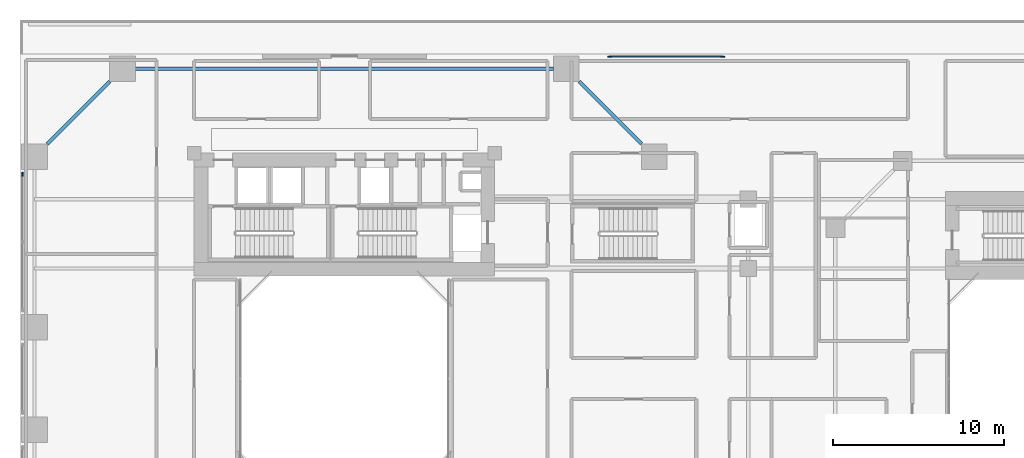
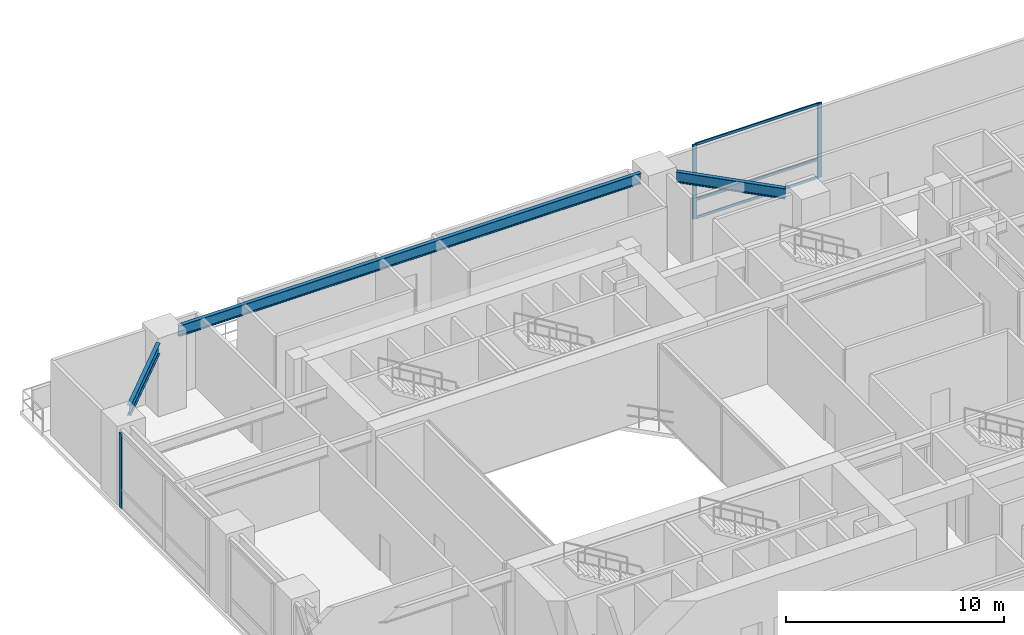
# One storey, part 7 of 19: 6 members, 3 beams, 2 elements without a shape of their own.
"""IFC4 building model written with IfcOpenShell, lengths in metres."""

from ifc_helpers import new_model, si_unit, direction, frame, origin, origin_2d, place, context, subcontext, project, spatial, rectangle, i_section, extrude, source, transform, mapped, material, layer, layer_set, material_profile, profile_set, type_object, element, aggregate, save


model = new_model("IFC4")

# Units and contexts
model_context = context("Model", 3, precision=1e-05, world=origin(), true_north=direction((0.0, 1.0)))
body_context = subcontext(model_context, "Body", "Model", "MODEL_VIEW")
ifc_project = project(units=[si_unit("LENGTHUNIT", "METRE"), si_unit("AREAUNIT", "SQUARE_METRE"), si_unit("VOLUMEUNIT", "CUBIC_METRE"), si_unit("PLANEANGLEUNIT", "RADIAN"), si_unit("MASSUNIT", "GRAM", prefix="KILO"), si_unit("THERMODYNAMICTEMPERATUREUNIT", "KELVIN"), si_unit("POWERUNIT", "WATT")], contexts=[model_context])

# Site, building, storey
site_placement = place(None, origin())
site = spatial("IfcSite", under=ifc_project, at=site_placement, CompositionType="ELEMENT")
building_placement = place(site_placement, origin())
building = spatial("IfcBuilding", under=site, at=building_placement, Name="Qiaomeng Ring Towers", CompositionType="ELEMENT")
storey_placement = place(building_placement, frame((0.0, 0.0, 9.39990234375)))
storey = spatial("IfcBuildingStorey", under=building, at=storey_placement, Name="L02", CompositionType="ELEMENT", Elevation=9.39990234375)

# Beams
ifc_material_1 = material(Name="Steel Q355B", Category="steel")
ifc_material_profile_1 = material_profile(ifc_material_1, i_section(OverallWidth=0.199951171875, OverallDepth=0.60009765625, WebThickness=0.010986328125, FlangeThickness=0.01708984375, FilletRadius=0.02197265625, at=origin_2d()), Name="HN 600x200x11x17")
ifc_profile_set_1 = profile_set([ifc_material_profile_1], Name="Steel Q355B")
beam_type = type_object("IfcBeamType", Name="STR-BM-HN600", PredefinedType="BEAM", material=ifc_profile_set_1)
shared_shape_1 = source(origin(), body_context, "Body", "SweptSolid", [
    extrude(i_section(OverallWidth=0.199951171875, OverallDepth=0.60009765625, WebThickness=0.010986328125, FlangeThickness=0.01708984375, FilletRadius=0.02197265625, at=origin_2d()), origin(), (0.0, 0.0, 1.0), 24.501953125),
])
beam_placement = place(storey_placement, frame((31.2509765625, 41.14990234375, 3.880126953125), z_axis=(-1.0, 0.0, 0.0), x_axis=(0.0, -1.0, 0.0)))
element("IfcBeam", 1, at=beam_placement, inside=storey, type_object=beam_type, Name="L02 beam STR-SP-L02-T1-4", PredefinedType="BEAM", context=body_context, shape_type="MappedRepresentation", body=[
    mapped(shared_shape_1, transform((0.0, 0.0, 0.0), x_axis=(1.0, 0.0, 0.0), y_axis=(0.0, 1.0, 0.0), z_axis=(0.0, 0.0, 1.0), scale=1.0)),
])
shared_shape_2 = source(origin(), body_context, "Body", "SweptSolid", [
    extrude(i_section(OverallWidth=0.199951171875, OverallDepth=0.60009765625, WebThickness=0.010986328125, FlangeThickness=0.01708984375, FilletRadius=0.02197265625, at=origin_2d()), origin(), (0.0, 0.0, 1.0), 5.163818359375),
])
for number, where, z_axis, x_axis, name in (
    (2, (36.400634765625, 36.749267578125, 3.880126953125), (-0.707106781187, 0.707106781187, 0.0), (-0.707106781187, -0.707106781187, 0.0), "L02 beam STR-SP-L02-T1-3"),
    (3, (5.250732421875, 40.400634765625, 3.880126953125), (-0.707106781187, -0.707106781187, 0.0), (0.707106781187, -0.707106781187, 0.0), "L02 beam STR-SP-L02-T1-5"),
):
    element("IfcBeam", number, at=place(storey_placement, frame(where, z_axis=z_axis, x_axis=x_axis)), inside=storey, type_object=beam_type, Name=name, PredefinedType="BEAM", context=body_context, shape_type="MappedRepresentation", body=[
        mapped(shared_shape_2, transform((0.0, 0.0, 0.0), x_axis=(1.0, 0.0, 0.0), y_axis=(0.0, 1.0, 0.0), z_axis=(0.0, 0.0, 1.0), scale=1.0)),
    ])

# Curtain wall, members
ifc_material_2 = material(Name="Fluorocarbon dark-grey aluminium", Category="aluminium")
ifc_layer = layer(ifc_material_2, 0.179931640625, Name="Fluorocarbon dark-grey aluminium")
ifc_layer_set = layer_set([ifc_layer], Name="Fluorocarbon dark-grey aluminium")
curtain_wall_type = type_object("IfcCurtainWallType", Name="ARC-CW-1", PredefinedType="NOTDEFINED", material=ifc_layer_set)
curtain_wall_1_placement = place(storey_placement, origin())
curtain_wall_1 = element("IfcCurtainWall", 4, at=curtain_wall_1_placement, inside=storey, type_object=curtain_wall_type, Name="L02 Curtain Wall CW1", PredefinedType="NOTDEFINED")
ifc_material_profile_2 = material_profile(ifc_material_2, rectangle(XDim=0.070068359375, YDim=0.139892578125, at=origin_2d()), Name="ALU TRAN 70x140")
ifc_profile_set_2 = profile_set([ifc_material_profile_2], Name="Fluorocarbon dark-grey aluminium")
member_type_1 = type_object("IfcMemberType", Name="ARC-CWT-140", PredefinedType="USERDEFINED", material=ifc_profile_set_2)
shared_shape_3 = source(origin(), body_context, "Body", "SweptSolid", [
    extrude(rectangle(XDim=0.070068359375, YDim=0.139892578125, at=origin_2d()), origin(), (0.0, 0.0, 1.0), 6.5400390625),
])
member_1_placement = place(storey_placement, frame((34.580078125, 41.85009765625, 0.03515625), z_axis=(1.0, 0.0, 0.0), x_axis=(0.0, 1.0, 0.0)))
member_1 = element("IfcMember", 5, at=member_1_placement, type_object=member_type_1, Name="CW1 transom 1.1", ObjectType="TRANSOM", PredefinedType="USERDEFINED", context=body_context, shape_type="MappedRepresentation", body=[
    mapped(shared_shape_3, transform((0.0, 0.0, 0.0), x_axis=(1.0, 0.0, 0.0), y_axis=(0.0, 1.0, 0.0), z_axis=(0.0, 0.0, 1.0), scale=1.0)),
])
member_2_placement = place(storey_placement, frame((34.580078125, 41.85009765625, 1.050048828125), z_axis=(1.0, 0.0, 0.0), x_axis=(0.0, 1.0, 0.0)))
member_2 = element("IfcMember", 6, at=member_2_placement, type_object=member_type_1, Name="CW1 transom 1.2", ObjectType="TRANSOM", PredefinedType="USERDEFINED", context=body_context, shape_type="MappedRepresentation", body=[
    mapped(shared_shape_3, transform((0.0, 0.0, 0.0), x_axis=(1.0, 0.0, 0.0), y_axis=(0.0, 1.0, 0.0), z_axis=(0.0, 0.0, 1.0), scale=1.0)),
])
member_3_placement = place(storey_placement, frame((34.580078125, 41.85009765625, 4.14501953125), z_axis=(1.0, 0.0, 0.0), x_axis=(0.0, 1.0, 0.0)))
member_3 = element("IfcMember", 7, at=member_3_placement, type_object=member_type_1, Name="CW1 transom 1.3", ObjectType="TRANSOM", PredefinedType="USERDEFINED", context=body_context, shape_type="MappedRepresentation", body=[
    mapped(shared_shape_3, transform((0.0, 0.0, 0.0), x_axis=(1.0, 0.0, 0.0), y_axis=(0.0, 1.0, 0.0), z_axis=(0.0, 0.0, 1.0), scale=1.0)),
])

# Curtain wall, member
curtain_wall_2_placement = place(storey_placement, origin())
curtain_wall_2 = element("IfcCurtainWall", 8, at=curtain_wall_2_placement, inside=storey, type_object=curtain_wall_type, Name="L02 Curtain Wall CW1", PredefinedType="NOTDEFINED")
ifc_material_profile_3 = material_profile(ifc_material_2, rectangle(XDim=0.080078125, YDim=0.219970703125, at=origin_2d()), Name="ALU MULL 80x220")
ifc_profile_set_3 = profile_set([ifc_material_profile_3], Name="Fluorocarbon dark-grey aluminium")
member_type_2 = type_object("IfcMemberType", Name="ARC-CWM-180", PredefinedType="MULLION", material=ifc_profile_set_3)
shared_shape_4 = source(origin(), body_context, "Body", "SweptSolid", [
    extrude(rectangle(XDim=0.080078125, YDim=0.219970703125, at=origin_2d()), origin(), (0.0, 0.0, 1.0), 4.18017578125),
])
member_4_placement = place(storey_placement, frame((0.14990234375, 34.969970703125, 0.0), z_axis=(0.0, 0.0, 1.0), x_axis=(-1.0, 0.0, 0.0)))
member_4 = element("IfcMember", 9, at=member_4_placement, type_object=member_type_2, Name="CW1 mullion 3", PredefinedType="MULLION", context=body_context, shape_type="MappedRepresentation", body=[
    mapped(shared_shape_4, transform((0.0, 0.0, 0.0), x_axis=(1.0, 0.0, 0.0), y_axis=(0.0, 1.0, 0.0), z_axis=(0.0, 0.0, 1.0), scale=1.0)),
])
aggregate(curtain_wall_2, [member_4])

# Member
member_5_placement = place(storey_placement, frame((34.5400390625, 41.85009765625, 0.0), z_axis=(0.0, 0.0, 1.0), x_axis=(0.0, 1.0, 0.0)))
member_5 = element("IfcMember", 10, at=member_5_placement, type_object=member_type_2, Name="CW1 mullion 1", PredefinedType="MULLION", context=body_context, shape_type="MappedRepresentation", body=[
    mapped(shared_shape_4, transform((0.0, 0.0, 0.0), x_axis=(1.0, 0.0, 0.0), y_axis=(0.0, 1.0, 0.0), z_axis=(0.0, 0.0, 1.0), scale=1.0)),
])

member_6_placement = place(storey_placement, frame((41.159912109375, 41.85009765625, 0.0), z_axis=(0.0, 0.0, 1.0), x_axis=(0.0, 1.0, 0.0)))
member_6 = element("IfcMember", 11, at=member_6_placement, type_object=member_type_2, Name="CW1 mullion 2", PredefinedType="MULLION", context=body_context, shape_type="MappedRepresentation", body=[
    mapped(shared_shape_4, transform((0.0, 0.0, 0.0), x_axis=(1.0, 0.0, 0.0), y_axis=(0.0, 1.0, 0.0), z_axis=(0.0, 0.0, 1.0), scale=1.0)),
])

aggregate(curtain_wall_1, [member_5, member_6, member_1, member_2, member_3])

save(model, "model.ifc")
